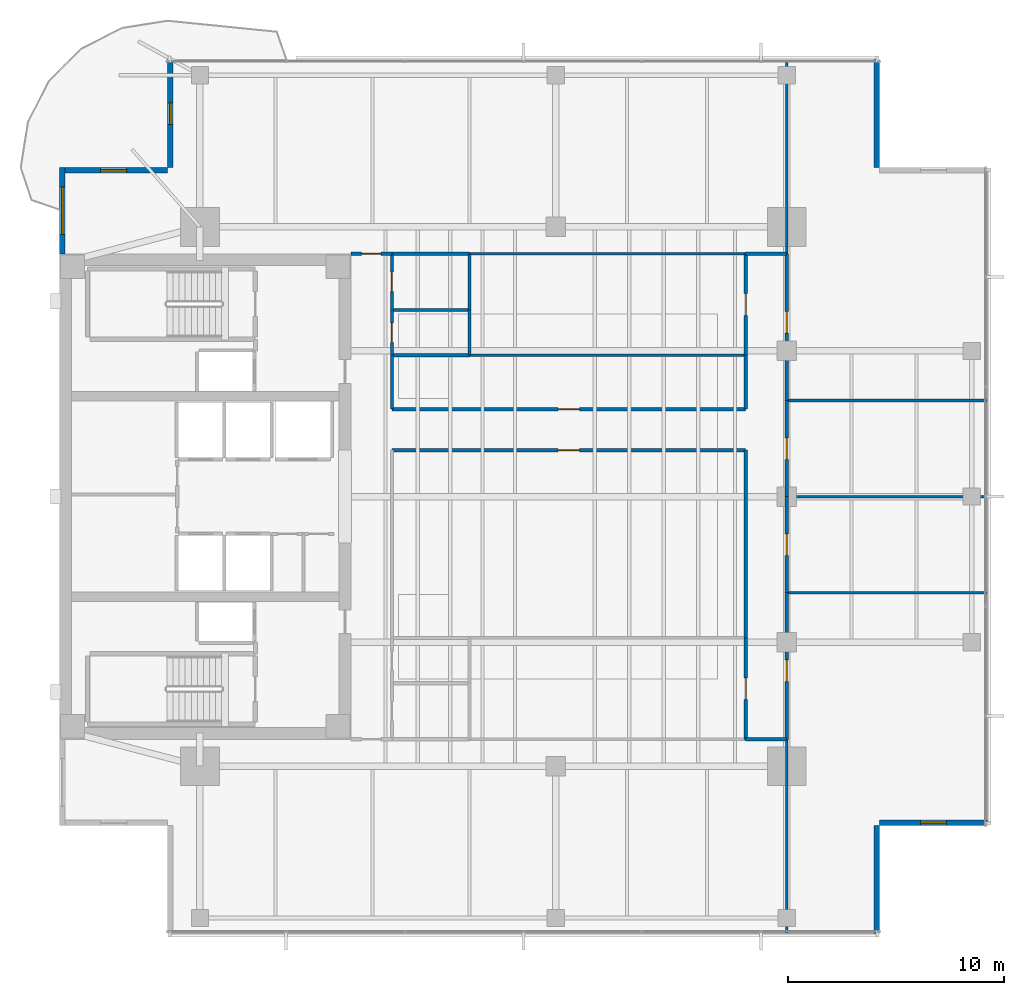
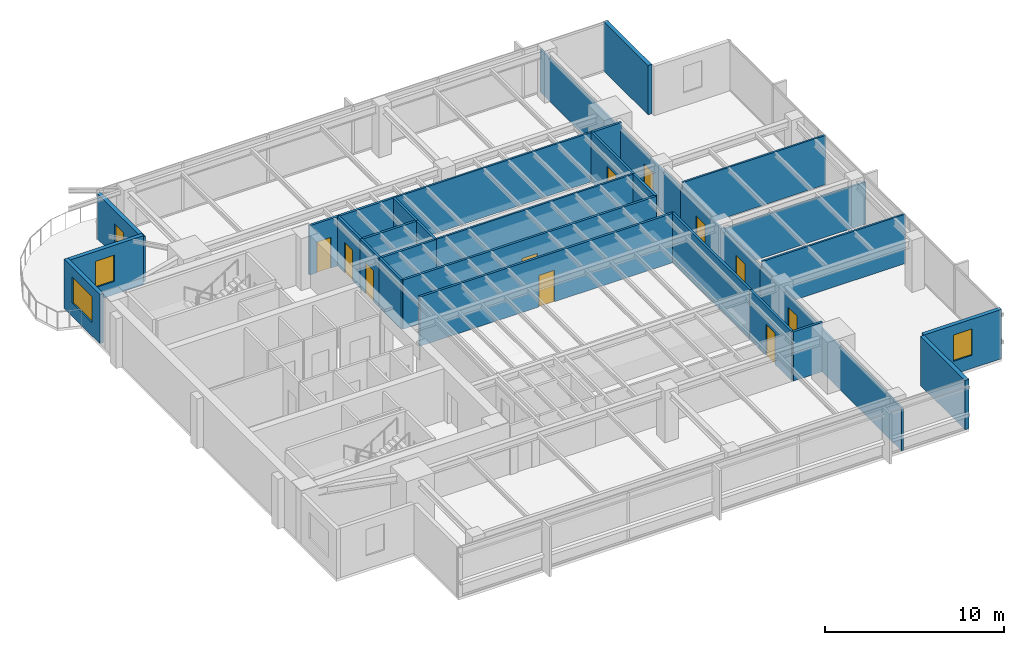
# One storey, part 9 of 14: 34 walls, 12 doors, 3 windows, 15 openings.
"""IFC4 building model written with IfcOpenShell, lengths in metres."""

from ifc_helpers import new_model, si_unit, direction, frame, frame_2d, origin, place, context, subcontext, project, spatial, rectangle, extrude, material, layer, layer_set, type_object, element, fill, save


model = new_model("IFC4")

# Units and contexts
model_context = context("Model", 3, precision=1e-05, world=origin(), true_north=direction((0.0, 1.0)))
body_context = subcontext(model_context, "Body", "Model", "MODEL_VIEW")
ifc_project = project(units=[si_unit("LENGTHUNIT", "METRE"), si_unit("AREAUNIT", "SQUARE_METRE"), si_unit("VOLUMEUNIT", "CUBIC_METRE"), si_unit("PLANEANGLEUNIT", "RADIAN"), si_unit("MASSUNIT", "GRAM", prefix="KILO")], contexts=[model_context])

# Site, building, storey
site_placement = place(None, origin())
site = spatial("IfcSite", under=ifc_project, at=site_placement, CompositionType="ELEMENT")
building_placement = place(site_placement, origin())
building = spatial("IfcBuilding", under=site, at=building_placement, Name="Kinhvarn Gate Tower", CompositionType="ELEMENT")
storey_placement = place(building_placement, frame((0.0, 0.0, 205.800048828125)))
storey = spatial("IfcBuildingStorey", under=building, at=storey_placement, Name="L54", CompositionType="ELEMENT", Elevation=205.800048828125)

# Wall, opening, window
ifc_material_1 = material(Name="Fired architectural terracotta", Category="masonry")
ifc_layer_1 = layer(ifc_material_1, 0.25)
ifc_layer_set_1 = layer_set([ifc_layer_1], Name="Fired architectural terracotta")
wall_type_1 = type_object("IfcWallType", Name="WL-EXT-250", PredefinedType="SOLIDWALL", material=ifc_layer_set_1)
wall_1_placement = place(storey_placement, frame((4.625, 40.5, 0.0), z_axis=(0.0, 0.0, 1.0), x_axis=(0.0, -1.0, 0.0)))
wall_1 = element("IfcWall", 1, at=wall_1_placement, inside=storey, type_object=wall_type_1, Name="Exterior Solidwall Wall EW-250 (L54 West-North)", PredefinedType="SOLIDWALL", context=body_context, shape_type="SweptSolid", body=[
    extrude(rectangle(XDim=4.0, YDim=0.25, at=frame_2d((2.0, 0.0))), origin(), (0.0, 0.0, 1.0), 3.369873046875),
])
opening_1_placement = place(wall_1_placement, frame((0.89990234375, 0.0, 0.89990234375)))
opening_1 = element("IfcOpeningElement", 2, at=opening_1_placement, cuts=wall_1, Name="Opening WN-01", PredefinedType="OPENING", context=body_context, shape_type="SweptSolid", body=[
    extrude(rectangle(XDim=2.199951171875, YDim=1.800048828125, at=frame_2d((1.10009765625, 0.89990234375))), frame((0.0, 0.135009765625, 0.0), z_axis=(0.0, -1.0, 0.0), x_axis=(1.0, 0.0, 0.0)), (0.0, 0.0, 1.0), 0.27001953125),
])
ifc_material_2 = material(Name="Clear low-e double glazing", Category="glass")
window_type_1 = type_object("IfcWindowType", Name="WIN-RIB-2200", PartitioningType="SINGLE_PANEL", PredefinedType="WINDOW", material=ifc_material_2)
window_1_placement = place(opening_1_placement, origin())
window_1 = element("IfcWindow", 3, at=window_1_placement, inside=storey, type_object=window_type_1, Name="West Flank Double-Glazed Ribbon Window 2200x1800 mm (L54)", OverallHeight=1.800048828125, OverallWidth=2.199951171875, PartitioningType="SINGLE_PANEL", PredefinedType="WINDOW", context=body_context, shape_type="SweptSolid", body=[
    extrude(rectangle(XDim=2.199951171875, YDim=1.800048828125, at=frame_2d((1.10009765625, 0.89990234375))), frame((0.0, 0.030029296875, 0.0), z_axis=(0.0, -1.0, 0.0), x_axis=(1.0, 0.0, 0.0)), (0.0, 0.0, 1.0), 0.06005859375),
])
fill(opening_1, window_1)

# Wall
wall_2_placement = place(storey_placement, frame((42.375, 5.0, 0.0), z_axis=(0.0, 0.0, 1.0), x_axis=(0.0, 1.0, 0.0)))
element("IfcWall", 4, at=wall_2_placement, inside=storey, type_object=wall_type_1, Name="Exterior Solidwall Wall EW-250 (L54 SE-Notch-1)", PredefinedType="SOLIDWALL", context=body_context, shape_type="SweptSolid", body=[
    extrude(rectangle(XDim=5.0, YDim=0.25, at=frame_2d((2.5, 0.0))), origin(), (0.0, 0.0, 1.0), 3.369873046875),
])

# Wall, opening, window
wall_3_placement = place(storey_placement, frame((42.5, 10.125, 0.0), z_axis=(0.0, 0.0, 1.0), x_axis=(1.0, 0.0, 0.0)))
wall_3 = element("IfcWall", 5, at=wall_3_placement, inside=storey, type_object=wall_type_1, Name="Exterior Solidwall Wall EW-250 (L54 SE-Notch-2)", PredefinedType="SOLIDWALL", context=body_context, shape_type="SweptSolid", body=[
    extrude(rectangle(XDim=5.0, YDim=0.25, at=frame_2d((2.5, 0.0))), origin(), (0.0, 0.0, 1.0), 3.369873046875),
])
opening_2_placement = place(wall_3_placement, frame((1.89990234375, 0.0, 0.89990234375)))
opening_2 = element("IfcOpeningElement", 6, at=opening_2_placement, cuts=wall_3, Name="Opening WN-02", PredefinedType="OPENING", context=body_context, shape_type="SweptSolid", body=[
    extrude(rectangle(XDim=1.199951171875, YDim=1.800048828125, at=frame_2d((0.60009765625, 0.89990234375))), frame((0.0, 0.135009765625, 0.0), z_axis=(0.0, -1.0, 0.0), x_axis=(1.0, 0.0, 0.0)), (0.0, 0.0, 1.0), 0.27001953125),
])
window_type_2 = type_object("IfcWindowType", Name="WIN-NTC-1200", PartitioningType="SINGLE_PANEL", PredefinedType="WINDOW", material=ifc_material_2)
window_2_placement = place(opening_2_placement, origin())
window_2 = element("IfcWindow", 7, at=window_2_placement, inside=storey, type_object=window_type_2, Name="Recessed Corner Notch Punched Window 1200x1800 mm (L54)", OverallHeight=1.800048828125, OverallWidth=1.199951171875, PartitioningType="SINGLE_PANEL", PredefinedType="WINDOW", context=body_context, shape_type="SweptSolid", body=[
    extrude(rectangle(XDim=1.199951171875, YDim=1.800048828125, at=frame_2d((0.60009765625, 0.89990234375))), frame((0.0, 0.030029296875, 0.0), z_axis=(0.0, -1.0, 0.0), x_axis=(1.0, 0.0, 0.0)), (0.0, 0.0, 1.0), 0.06005859375),
])
fill(opening_2, window_2)

# Wall
wall_4_placement = place(storey_placement, frame((42.375, 40.5, 0.0), z_axis=(0.0, 0.0, 1.0), x_axis=(0.0, 1.0, 0.0)))
element("IfcWall", 8, at=wall_4_placement, inside=storey, type_object=wall_type_1, Name="Exterior Solidwall Wall EW-250 (L54 NE-Notch-2)", PredefinedType="SOLIDWALL", context=body_context, shape_type="SweptSolid", body=[
    extrude(rectangle(XDim=5.0, YDim=0.25, at=frame_2d((2.5, 0.0))), origin(), (0.0, 0.0, 1.0), 3.369873046875),
])

# Wall, opening, door
wall_5_placement = place(storey_placement, frame((9.625, 45.5, 0.0), z_axis=(0.0, 0.0, 1.0), x_axis=(0.0, -1.0, 0.0)))
wall_5 = element("IfcWall", 9, at=wall_5_placement, inside=storey, type_object=wall_type_1, Name="Exterior Solidwall Wall EW-250 (L54 NW-Notch-Door)", PredefinedType="SOLIDWALL", context=body_context, shape_type="SweptSolid", body=[
    extrude(rectangle(XDim=5.0, YDim=0.25, at=frame_2d((2.5, 0.0))), origin(), (0.0, 0.0, 1.0), 3.099853515625),
])
opening_3_placement = place(wall_5_placement, frame((2.0, 0.0, 0.0)))
opening_3 = element("IfcOpeningElement", 10, at=opening_3_placement, cuts=wall_5, Name="Opening BD-01", PredefinedType="OPENING", context=body_context, shape_type="SweptSolid", body=[
    extrude(rectangle(XDim=1.0, YDim=2.199951171875, at=frame_2d((0.5, 1.10009765625))), frame((0.0, 0.135009765625, 0.0), z_axis=(0.0, -1.0, 0.0), x_axis=(1.0, 0.0, 0.0)), (0.0, 0.0, 1.0), 0.27001953125),
])
door_type_1 = type_object("IfcDoorType", Name="DR-BAL-1000", OperationType="NOTDEFINED", PredefinedType="DOOR", material=ifc_material_2)
door_1_placement = place(opening_3_placement, frame((1.0, 0.0, 0.0), z_axis=(0.0, 0.0, 1.0), x_axis=(-1.0, 0.0, 0.0)))
door_1 = element("IfcDoor", 11, at=door_1_placement, inside=storey, type_object=door_type_1, Name="S-Carve Balcony Door BD-01 (L54)", OperationType="SINGLE_SWING_RIGHT", OverallHeight=2.199951171875, OverallWidth=1.0, PredefinedType="DOOR", context=body_context, shape_type="SweptSolid", body=[
    extrude(rectangle(XDim=1.0, YDim=2.199951171875, at=frame_2d((0.5, 1.10009765625))), frame((0.0, 0.02490234375, 0.0), z_axis=(0.0, -1.0, 0.0), x_axis=(1.0, 0.0, 0.0)), (0.0, 0.0, 1.0), 0.050048828125),
])
fill(opening_3, door_1)

# Wall, opening, window
wall_6_placement = place(storey_placement, frame((9.5, 40.375, 0.0), z_axis=(0.0, 0.0, 1.0), x_axis=(-1.0, 0.0, 0.0)))
wall_6 = element("IfcWall", 12, at=wall_6_placement, inside=storey, type_object=wall_type_1, Name="Exterior Solidwall Wall EW-250 (L54 NW-Notch-Win)", PredefinedType="SOLIDWALL", context=body_context, shape_type="SweptSolid", body=[
    extrude(rectangle(XDim=5.0, YDim=0.25, at=frame_2d((2.5, 0.0))), origin(), (0.0, 0.0, 1.0), 3.369873046875),
])
opening_4_placement = place(wall_6_placement, frame((1.89990234375, 0.0, 0.89990234375)))
opening_4 = element("IfcOpeningElement", 13, at=opening_4_placement, cuts=wall_6, Name="Opening WN-02", PredefinedType="OPENING", context=body_context, shape_type="SweptSolid", body=[
    extrude(rectangle(XDim=1.199951171875, YDim=1.800048828125, at=frame_2d((0.60009765625, 0.89990234375))), frame((0.0, 0.135009765625, 0.0), z_axis=(0.0, -1.0, 0.0), x_axis=(1.0, 0.0, 0.0)), (0.0, 0.0, 1.0), 0.27001953125),
])
window_3_placement = place(opening_4_placement, origin())
window_3 = element("IfcWindow", 14, at=window_3_placement, inside=storey, type_object=window_type_2, Name="Recessed Corner Notch Punched Window 1200x1800 mm (L54)", OverallHeight=1.800048828125, OverallWidth=1.199951171875, PartitioningType="SINGLE_PANEL", PredefinedType="WINDOW", context=body_context, shape_type="SweptSolid", body=[
    extrude(rectangle(XDim=1.199951171875, YDim=1.800048828125, at=frame_2d((0.60009765625, 0.89990234375))), frame((0.0, 0.030029296875, 0.0), z_axis=(0.0, -1.0, 0.0), x_axis=(1.0, 0.0, 0.0)), (0.0, 0.0, 1.0), 0.06005859375),
])
fill(opening_4, window_3)

# Walls
ifc_material_3 = material(Name="Gypsum acoustic partition board")
ifc_layer_2 = layer(ifc_material_3, 0.14990234375)
ifc_layer_set_2 = layer_set([ifc_layer_2], Name="Gypsum acoustic partition board")
wall_type_2 = type_object("IfcWallType", Name="WL-PLM-150", PredefinedType="PLUMBINGWALL", material=ifc_layer_set_2)
wall_7_placement = place(storey_placement, frame((19.89990234375, 33.89990234375, 0.0), z_axis=(0.0, 0.0, 1.0), x_axis=(1.0, 0.0, 0.0)))
element("IfcWall", 15, at=wall_7_placement, inside=storey, type_object=wall_type_2, Name="Interior Partition PLW-150 (L54)", PredefinedType="PLUMBINGWALL", context=body_context, shape_type="SweptSolid", body=[
    extrude(rectangle(XDim=3.60009765625, YDim=0.14990234375, at=frame_2d((1.800048828125, 0.0))), origin(), (0.0, 0.0, 1.0), 3.369873046875),
])
wall_8_placement = place(storey_placement, frame((23.5, 33.89990234375, 0.0), z_axis=(0.0, 0.0, 1.0), x_axis=(0.0, 1.0, 0.0)))
element("IfcWall", 16, at=wall_8_placement, inside=storey, type_object=wall_type_2, Name="Interior Partition PLW-150 (L54)", PredefinedType="PLUMBINGWALL", context=body_context, shape_type="SweptSolid", body=[
    extrude(rectangle(XDim=2.60009765625, YDim=0.14990234375, at=frame_2d((1.300048828125, 0.0))), origin(), (0.0, 0.0, 1.0), 3.369873046875),
])
wall_9_placement = place(storey_placement, frame((19.89990234375, 36.5, 0.0), z_axis=(0.0, 0.0, 1.0), x_axis=(1.0, 0.0, 0.0)))
element("IfcWall", 17, at=wall_9_placement, inside=storey, type_object=wall_type_2, Name="Interior Partition PLW-150 (L54)", PredefinedType="PLUMBINGWALL", context=body_context, shape_type="SweptSolid", body=[
    extrude(rectangle(XDim=3.60009765625, YDim=0.14990234375, at=frame_2d((1.800048828125, 0.0))), origin(), (0.0, 0.0, 1.0), 3.369873046875),
])
wall_10_placement = place(storey_placement, frame((23.5, 31.800048828125, 0.0), z_axis=(0.0, 0.0, 1.0), x_axis=(0.0, 1.0, 0.0)))
element("IfcWall", 18, at=wall_10_placement, inside=storey, type_object=wall_type_2, Name="Interior Partition PLW-150 (L54)", PredefinedType="PLUMBINGWALL", context=body_context, shape_type="SweptSolid", body=[
    extrude(rectangle(XDim=2.099853515625, YDim=0.14990234375, at=frame_2d((1.0498046875, 0.0))), origin(), (0.0, 0.0, 1.0), 3.369873046875),
])
wall_11_placement = place(storey_placement, frame((19.89990234375, 31.800048828125, 0.0), z_axis=(0.0, 0.0, 1.0), x_axis=(1.0, 0.0, 0.0)))
element("IfcWall", 19, at=wall_11_placement, inside=storey, type_object=wall_type_2, Name="Interior Partition PLW-150 (L54)", PredefinedType="PLUMBINGWALL", context=body_context, shape_type="SweptSolid", body=[
    extrude(rectangle(XDim=3.60009765625, YDim=0.14990234375, at=frame_2d((1.800048828125, 0.0))), origin(), (0.0, 0.0, 1.0), 3.369873046875),
])

# Wall, opening, door
ifc_layer_3 = layer(ifc_material_3, 0.14990234375)
ifc_layer_set_3 = layer_set([ifc_layer_3], Name="Gypsum acoustic partition board")
wall_type_3 = type_object("IfcWallType", Name="WL-PLM-150F", PredefinedType="PLUMBINGWALL", material=ifc_layer_set_3)
wall_12_placement = place(storey_placement, frame((19.89990234375, 33.89990234375, 0.0), z_axis=(0.0, 0.0, 1.0), x_axis=(0.0, 1.0, 0.0)))
wall_12 = element("IfcWall", 20, at=wall_12_placement, inside=storey, type_object=wall_type_3, Name="Interior Partition PLW-150F (L54)", PredefinedType="PLUMBINGWALL", context=body_context, shape_type="SweptSolid", body=[
    extrude(rectangle(XDim=2.60009765625, YDim=0.14990234375, at=frame_2d((1.300048828125, 0.0))), origin(), (0.0, 0.0, 1.0), 3.369873046875),
])
opening_5_placement = place(wall_12_placement, frame((0.85009765625, 0.0, 0.0)))
opening_5 = element("IfcOpeningElement", 21, at=opening_5_placement, cuts=wall_12, Name="Opening FD-04", PredefinedType="OPENING", context=body_context, shape_type="SweptSolid", body=[
    extrude(rectangle(XDim=0.89990234375, YDim=2.10009765625, at=frame_2d((0.449951171875, 1.050048828125))), frame((0.0, 0.0849609375, 0.0), z_axis=(0.0, -1.0, 0.0), x_axis=(1.0, 0.0, 0.0)), (0.0, 0.0, 1.0), 0.169921875),
])
ifc_material_4 = material(Name="Anodised aluminium AW-6063", Category="aluminium")
door_type_2 = type_object("IfcDoorType", Name="DR-FD-900", OperationType="NOTDEFINED", PredefinedType="DOOR", material=ifc_material_4)
door_2_placement = place(opening_5_placement, origin())
door_2 = element("IfcDoor", 22, at=door_2_placement, inside=storey, type_object=door_type_2, Name="Rated Riser & Service Closet Fire Door 900x2100 mm (L54)", OperationType="SINGLE_SWING_RIGHT", OverallHeight=2.10009765625, OverallWidth=0.89990234375, PredefinedType="DOOR", context=body_context, shape_type="SweptSolid", body=[
    extrude(rectangle(XDim=0.89990234375, YDim=2.10009765625, at=frame_2d((0.449951171875, 1.050048828125))), frame((0.0, 0.02490234375, 0.0), z_axis=(0.0, -1.0, 0.0), x_axis=(1.0, 0.0, 0.0)), (0.0, 0.0, 1.0), 0.050048828125),
])
fill(opening_5, door_2)

wall_13_placement = place(storey_placement, frame((19.89990234375, 31.800048828125, 0.0), z_axis=(0.0, 0.0, 1.0), x_axis=(0.0, 1.0, 0.0)))
wall_13 = element("IfcWall", 23, at=wall_13_placement, inside=storey, type_object=wall_type_3, Name="Interior Partition PLW-150F (L54)", PredefinedType="PLUMBINGWALL", context=body_context, shape_type="SweptSolid", body=[
    extrude(rectangle(XDim=2.099853515625, YDim=0.14990234375, at=frame_2d((1.0498046875, 0.0))), origin(), (0.0, 0.0, 1.0), 3.369873046875),
])
opening_6_placement = place(wall_13_placement, frame((0.60009765625, 0.0, 0.0)))
opening_6 = element("IfcOpeningElement", 24, at=opening_6_placement, cuts=wall_13, Name="Opening FD-04", PredefinedType="OPENING", context=body_context, shape_type="SweptSolid", body=[
    extrude(rectangle(XDim=0.89990234375, YDim=2.10009765625, at=frame_2d((0.449951171875, 1.050048828125))), frame((0.0, 0.0849609375, 0.0), z_axis=(0.0, -1.0, 0.0), x_axis=(1.0, 0.0, 0.0)), (0.0, 0.0, 1.0), 0.169921875),
])
door_3_placement = place(opening_6_placement, origin())
door_3 = element("IfcDoor", 25, at=door_3_placement, inside=storey, type_object=door_type_2, Name="Rated Riser & Service Closet Fire Door 900x2100 mm (L54)", OperationType="SINGLE_SWING_RIGHT", OverallHeight=2.10009765625, OverallWidth=0.89990234375, PredefinedType="DOOR", context=body_context, shape_type="SweptSolid", body=[
    extrude(rectangle(XDim=0.89990234375, YDim=2.10009765625, at=frame_2d((0.449951171875, 1.050048828125))), frame((0.0, 0.02490234375, 0.0), z_axis=(0.0, -1.0, 0.0), x_axis=(1.0, 0.0, 0.0)), (0.0, 0.0, 1.0), 0.050048828125),
])
fill(opening_6, door_3)

# Walls
ifc_layer_4 = layer(ifc_material_3, 0.1201171875)
ifc_layer_set_4 = layer_set([ifc_layer_4], Name="Gypsum acoustic partition board")
wall_type_4 = type_object("IfcWallType", Name="WL-PRT-120", PredefinedType="PARTITIONING", material=ifc_layer_set_4)
for number, where, z_axis, x_axis, name in (
    (26, (23.5, 31.800048828125, 0.0), (0.0, 0.0, 1.0), (1.0, 0.0, 0.0), "Interior Partition PW-120 (L54)"),
    (27, (23.5, 36.5, 0.0), (0.0, 0.0, 1.0), (1.0, 0.0, 0.0), "Interior Partition PW-120 (L54)"),
):
    element("IfcWall", number, at=place(storey_placement, frame(where, z_axis=z_axis, x_axis=x_axis)), inside=storey, type_object=wall_type_4, Name=name, PredefinedType="PARTITIONING", context=body_context, shape_type="SweptSolid", body=[
        extrude(rectangle(XDim=12.800048828125, YDim=0.1201171875, at=frame_2d((6.39990234375, 0.0))), origin(), (0.0, 0.0, 1.0), 3.369873046875),
    ])
for number, where, z_axis, x_axis, name in (
    (28, (38.199951171875, 5.010009765625, 0.0), (0.0, 0.0, 1.0), (0.0, 1.0, 0.0), "Interior Partition PW-120 (L54)"),
    (29, (38.199951171875, 36.5, 0.0), (0.0, 0.0, 1.0), (0.0, 1.0, 0.0), "Interior Partition PW-120 (L54)"),
):
    element("IfcWall", number, at=place(storey_placement, frame(where, z_axis=z_axis, x_axis=x_axis)), inside=storey, type_object=wall_type_4, Name=name, PredefinedType="PARTITIONING", context=body_context, shape_type="SweptSolid", body=[
        extrude(rectangle(XDim=8.989990234375, YDim=0.1201171875, at=frame_2d((4.4951171875, 0.0))), origin(), (0.0, 0.0, 1.0), 2.919921875),
    ])
wall_14_placement = place(storey_placement, frame((38.199951171875, 20.800048828125, 0.0), z_axis=(0.0, 0.0, 1.0), x_axis=(1.0, 0.0, 0.0)))
element("IfcWall", 30, at=wall_14_placement, inside=storey, type_object=wall_type_4, Name="Interior Partition PW-120 (L54)", PredefinedType="PARTITIONING", context=body_context, shape_type="SweptSolid", body=[
    extrude(rectangle(XDim=9.2900390625, YDim=0.1201171875, at=frame_2d((4.64501953125, 0.0))), origin(), (0.0, 0.0, 1.0), 3.369873046875),
])
wall_15_placement = place(storey_placement, frame((38.199951171875, 25.25, 0.0), z_axis=(0.0, 0.0, 1.0), x_axis=(1.0, 0.0, 0.0)))
element("IfcWall", 31, at=wall_15_placement, inside=storey, type_object=wall_type_4, Name="Interior Partition PW-120 (L54)", PredefinedType="PARTITIONING", context=body_context, shape_type="SweptSolid", body=[
    extrude(rectangle(XDim=9.2900390625, YDim=0.1201171875, at=frame_2d((4.64501953125, 0.0))), origin(), (0.0, 0.0, 1.0), 2.869873046875),
])
wall_16_placement = place(storey_placement, frame((38.199951171875, 29.699951171875, 0.0), z_axis=(0.0, 0.0, 1.0), x_axis=(1.0, 0.0, 0.0)))
element("IfcWall", 32, at=wall_16_placement, inside=storey, type_object=wall_type_4, Name="Interior Partition PW-120 (L54)", PredefinedType="PARTITIONING", context=body_context, shape_type="SweptSolid", body=[
    extrude(rectangle(XDim=9.2900390625, YDim=0.1201171875, at=frame_2d((4.64501953125, 0.0))), origin(), (0.0, 0.0, 1.0), 3.369873046875),
])
ifc_layer_5 = layer(ifc_material_3, 0.14990234375)
ifc_layer_set_5 = layer_set([ifc_layer_5], Name="Gypsum acoustic partition board")
wall_type_5 = type_object("IfcWallType", Name="WL-PRT-150F", PredefinedType="PARTITIONING", material=ifc_layer_set_5)
wall_17_placement = place(storey_placement, frame((19.89990234375, 29.300048828125, 0.0), z_axis=(0.0, 0.0, 1.0), x_axis=(0.0, 1.0, 0.0)))
element("IfcWall", 33, at=wall_17_placement, inside=storey, type_object=wall_type_5, Name="Interior Partition PW-150F (L54)", PredefinedType="PARTITIONING", context=body_context, shape_type="SweptSolid", body=[
    extrude(rectangle(XDim=2.5, YDim=0.14990234375, at=frame_2d((1.25, 0.0))), origin(), (0.0, 0.0, 1.0), 3.369873046875),
])

# Wall, opening, door
wall_18_placement = place(storey_placement, frame((18.0, 36.5, 0.0), z_axis=(0.0, 0.0, 1.0), x_axis=(1.0, 0.0, 0.0)))
wall_18 = element("IfcWall", 34, at=wall_18_placement, inside=storey, type_object=wall_type_5, Name="Interior Partition PW-150F (L54)", PredefinedType="PARTITIONING", context=body_context, shape_type="SweptSolid", body=[
    extrude(rectangle(XDim=1.89990234375, YDim=0.14990234375, at=frame_2d((0.949951171875, 0.0))), origin(), (0.0, 0.0, 1.0), 3.369873046875),
])
opening_7_placement = place(wall_18_placement, frame((0.5, 0.0, 0.0)))
opening_7 = element("IfcOpeningElement", 35, at=opening_7_placement, cuts=wall_18, Name="Opening ID-03", PredefinedType="OPENING", context=body_context, shape_type="SweptSolid", body=[
    extrude(rectangle(XDim=0.89990234375, YDim=2.10009765625, at=frame_2d((0.449951171875, 1.050048828125))), frame((0.0, 0.0849609375, 0.0), z_axis=(0.0, -1.0, 0.0), x_axis=(1.0, 0.0, 0.0)), (0.0, 0.0, 1.0), 0.169921875),
])
door_type_3 = type_object("IfcDoorType", Name="DR-INT-900", OperationType="NOTDEFINED", PredefinedType="DOOR", material=ifc_material_4)
door_4_placement = place(opening_7_placement, origin())
door_4 = element("IfcDoor", 36, at=door_4_placement, inside=storey, type_object=door_type_3, Name="Cellular Office & Restroom Door 900x2100 mm (L54)", OperationType="SINGLE_SWING_RIGHT", OverallHeight=2.10009765625, OverallWidth=0.89990234375, PredefinedType="DOOR", context=body_context, shape_type="SweptSolid", body=[
    extrude(rectangle(XDim=0.89990234375, YDim=2.10009765625, at=frame_2d((0.449951171875, 1.050048828125))), frame((0.0, 0.02490234375, 0.0), z_axis=(0.0, -1.0, 0.0), x_axis=(1.0, 0.0, 0.0)), (0.0, 0.0, 1.0), 0.050048828125),
])
fill(opening_7, door_4)

wall_19_placement = place(storey_placement, frame((19.89990234375, 27.39990234375, 0.0), z_axis=(0.0, 0.0, 1.0), x_axis=(1.0, 0.0, 0.0)))
wall_19 = element("IfcWall", 37, at=wall_19_placement, inside=storey, type_object=wall_type_5, Name="Interior Partition PW-150F (L54)", PredefinedType="PARTITIONING", context=body_context, shape_type="SweptSolid", body=[
    extrude(rectangle(XDim=16.400146484375, YDim=0.14990234375, at=frame_2d((8.2001953125, 0.0))), origin(), (0.0, 0.0, 1.0), 3.369873046875),
])
opening_8_placement = place(wall_19_placement, frame((7.699951171875, 0.0, 0.0)))
opening_8 = element("IfcOpeningElement", 38, at=opening_8_placement, cuts=wall_19, Name="Opening ID-02", PredefinedType="OPENING", context=body_context, shape_type="SweptSolid", body=[
    extrude(rectangle(XDim=1.0, YDim=2.14990234375, at=frame_2d((0.5, 1.074951171875))), frame((0.0, 0.0849609375, 0.0), z_axis=(0.0, -1.0, 0.0), x_axis=(1.0, 0.0, 0.0)), (0.0, 0.0, 1.0), 0.169921875),
])
door_type_4 = type_object("IfcDoorType", Name="DR-INT-1000", OperationType="NOTDEFINED", PredefinedType="DOOR", material=ifc_material_4)
door_5_placement = place(opening_8_placement, origin())
door_5 = element("IfcDoor", 39, at=door_5_placement, inside=storey, type_object=door_type_4, Name="Standard Office & Meeting Room Door 1000x2150 mm (L54)", OperationType="SINGLE_SWING_LEFT", OverallHeight=2.14990234375, OverallWidth=1.0, PredefinedType="DOOR", context=body_context, shape_type="SweptSolid", body=[
    extrude(rectangle(XDim=1.0, YDim=2.14990234375, at=frame_2d((0.5, 1.074951171875))), frame((0.0, 0.02490234375, 0.0), z_axis=(0.0, -1.0, 0.0), x_axis=(1.0, 0.0, 0.0)), (0.0, 0.0, 1.0), 0.050048828125),
])
fill(opening_8, door_5)

wall_20_placement = place(storey_placement, frame((19.89990234375, 29.300048828125, 0.0), z_axis=(0.0, 0.0, 1.0), x_axis=(1.0, 0.0, 0.0)))
wall_20 = element("IfcWall", 40, at=wall_20_placement, inside=storey, type_object=wall_type_5, Name="Interior Partition PW-150F (L54)", PredefinedType="PARTITIONING", context=body_context, shape_type="SweptSolid", body=[
    extrude(rectangle(XDim=16.400146484375, YDim=0.14990234375, at=frame_2d((8.2001953125, 0.0))), origin(), (0.0, 0.0, 1.0), 3.369873046875),
])
opening_9_placement = place(wall_20_placement, frame((7.699951171875, 0.0, 0.0)))
opening_9 = element("IfcOpeningElement", 41, at=opening_9_placement, cuts=wall_20, Name="Opening ID-02", PredefinedType="OPENING", context=body_context, shape_type="SweptSolid", body=[
    extrude(rectangle(XDim=1.0, YDim=2.14990234375, at=frame_2d((0.5, 1.074951171875))), frame((0.0, 0.0849609375, 0.0), z_axis=(0.0, -1.0, 0.0), x_axis=(1.0, 0.0, 0.0)), (0.0, 0.0, 1.0), 0.169921875),
])
door_6_placement = place(opening_9_placement, origin())
door_6 = element("IfcDoor", 42, at=door_6_placement, inside=storey, type_object=door_type_4, Name="Standard Office & Meeting Room Door 1000x2150 mm (L54)", OperationType="SINGLE_SWING_RIGHT", OverallHeight=2.14990234375, OverallWidth=1.0, PredefinedType="DOOR", context=body_context, shape_type="SweptSolid", body=[
    extrude(rectangle(XDim=1.0, YDim=2.14990234375, at=frame_2d((0.5, 1.074951171875))), frame((0.0, 0.02490234375, 0.0), z_axis=(0.0, -1.0, 0.0), x_axis=(1.0, 0.0, 0.0)), (0.0, 0.0, 1.0), 0.050048828125),
])
fill(opening_9, door_6)

wall_21_placement = place(storey_placement, frame((36.300048828125, 14.0, 0.0), z_axis=(0.0, 0.0, 1.0), x_axis=(0.0, 1.0, 0.0)))
wall_21 = element("IfcWall", 43, at=wall_21_placement, inside=storey, type_object=wall_type_5, Name="Interior Partition PW-150F (L54)", PredefinedType="PARTITIONING", context=body_context, shape_type="SweptSolid", body=[
    extrude(rectangle(XDim=4.699951171875, YDim=0.14990234375, at=frame_2d((2.35009765625, 0.0))), origin(), (0.0, 0.0, 1.0), 3.369873046875),
])
opening_10_placement = place(wall_21_placement, frame((1.85009765625, 0.0, 0.0)))
opening_10 = element("IfcOpeningElement", 44, at=opening_10_placement, cuts=wall_21, Name="Opening ID-02", PredefinedType="OPENING", context=body_context, shape_type="SweptSolid", body=[
    extrude(rectangle(XDim=1.0, YDim=2.14990234375, at=frame_2d((0.5, 1.074951171875))), frame((0.0, 0.0849609375, 0.0), z_axis=(0.0, -1.0, 0.0), x_axis=(1.0, 0.0, 0.0)), (0.0, 0.0, 1.0), 0.169921875),
])
door_7_placement = place(opening_10_placement, origin())
door_7 = element("IfcDoor", 45, at=door_7_placement, inside=storey, type_object=door_type_4, Name="Standard Office & Meeting Room Door 1000x2150 mm (L54)", OperationType="SINGLE_SWING_LEFT", OverallHeight=2.14990234375, OverallWidth=1.0, PredefinedType="DOOR", context=body_context, shape_type="SweptSolid", body=[
    extrude(rectangle(XDim=1.0, YDim=2.14990234375, at=frame_2d((0.5, 1.074951171875))), frame((0.0, 0.02490234375, 0.0), z_axis=(0.0, -1.0, 0.0), x_axis=(1.0, 0.0, 0.0)), (0.0, 0.0, 1.0), 0.050048828125),
])
fill(opening_10, door_7)

wall_22_placement = place(storey_placement, frame((36.300048828125, 31.800048828125, 0.0), z_axis=(0.0, 0.0, 1.0), x_axis=(0.0, 1.0, 0.0)))
wall_22 = element("IfcWall", 46, at=wall_22_placement, inside=storey, type_object=wall_type_5, Name="Interior Partition PW-150F (L54)", PredefinedType="PARTITIONING", context=body_context, shape_type="SweptSolid", body=[
    extrude(rectangle(XDim=4.699951171875, YDim=0.14990234375, at=frame_2d((2.35009765625, 0.0))), origin(), (0.0, 0.0, 1.0), 3.369873046875),
])
opening_11_placement = place(wall_22_placement, frame((1.85009765625, 0.0, 0.0)))
opening_11 = element("IfcOpeningElement", 47, at=opening_11_placement, cuts=wall_22, Name="Opening ID-02", PredefinedType="OPENING", context=body_context, shape_type="SweptSolid", body=[
    extrude(rectangle(XDim=1.0, YDim=2.14990234375, at=frame_2d((0.5, 1.074951171875))), frame((0.0, 0.0849609375, 0.0), z_axis=(0.0, -1.0, 0.0), x_axis=(1.0, 0.0, 0.0)), (0.0, 0.0, 1.0), 0.169921875),
])
door_8_placement = place(opening_11_placement, origin())
door_8 = element("IfcDoor", 48, at=door_8_placement, inside=storey, type_object=door_type_4, Name="Standard Office & Meeting Room Door 1000x2150 mm (L54)", OperationType="SINGLE_SWING_RIGHT", OverallHeight=2.14990234375, OverallWidth=1.0, PredefinedType="DOOR", context=body_context, shape_type="SweptSolid", body=[
    extrude(rectangle(XDim=1.0, YDim=2.14990234375, at=frame_2d((0.5, 1.074951171875))), frame((0.0, 0.02490234375, 0.0), z_axis=(0.0, -1.0, 0.0), x_axis=(1.0, 0.0, 0.0)), (0.0, 0.0, 1.0), 0.050048828125),
])
fill(opening_11, door_8)

# Walls
wall_23_placement = place(storey_placement, frame((36.300048828125, 18.699951171875, 0.0), z_axis=(0.0, 0.0, 1.0), x_axis=(0.0, 1.0, 0.0)))
element("IfcWall", 49, at=wall_23_placement, inside=storey, type_object=wall_type_5, Name="Interior Partition PW-150F (L54)", PredefinedType="PARTITIONING", context=body_context, shape_type="SweptSolid", body=[
    extrude(rectangle(XDim=8.699951171875, YDim=0.14990234375, at=frame_2d((4.35009765625, 0.0))), origin(), (0.0, 0.0, 1.0), 3.369873046875),
])
wall_24_placement = place(storey_placement, frame((36.300048828125, 29.300048828125, 0.0), z_axis=(0.0, 0.0, 1.0), x_axis=(0.0, 1.0, 0.0)))
element("IfcWall", 50, at=wall_24_placement, inside=storey, type_object=wall_type_5, Name="Interior Partition PW-150F (L54)", PredefinedType="PARTITIONING", context=body_context, shape_type="SweptSolid", body=[
    extrude(rectangle(XDim=2.5, YDim=0.14990234375, at=frame_2d((1.25, 0.0))), origin(), (0.0, 0.0, 1.0), 3.369873046875),
])
for number, where, z_axis, x_axis, name in (
    (51, (36.300048828125, 14.0, 0.0), (0.0, 0.0, 1.0), (1.0, 0.0, 0.0), "Interior Partition PW-150F (L54)"),
    (52, (36.300048828125, 36.5, 0.0), (0.0, 0.0, 1.0), (1.0, 0.0, 0.0), "Interior Partition PW-150F (L54)"),
):
    element("IfcWall", number, at=place(storey_placement, frame(where, z_axis=z_axis, x_axis=x_axis)), inside=storey, type_object=wall_type_5, Name=name, PredefinedType="PARTITIONING", context=body_context, shape_type="SweptSolid", body=[
        extrude(rectangle(XDim=1.89990234375, YDim=0.14990234375, at=frame_2d((0.949951171875, 0.0))), origin(), (0.0, 0.0, 1.0), 3.369873046875),
    ])

# Wall, opening, door
wall_25_placement = place(storey_placement, frame((38.199951171875, 14.0, 0.0), z_axis=(0.0, 0.0, 1.0), x_axis=(0.0, 1.0, 0.0)))
wall_25 = element("IfcWall", 53, at=wall_25_placement, inside=storey, type_object=wall_type_5, Name="Interior Partition PW-150F (L54)", PredefinedType="PARTITIONING", context=body_context, shape_type="SweptSolid", body=[
    extrude(rectangle(XDim=6.800048828125, YDim=0.14990234375, at=frame_2d((3.39990234375, 0.0))), origin(), (0.0, 0.0, 1.0), 2.919921875),
])
opening_12_placement = place(wall_25_placement, frame((2.678955078125, 0.0, 0.0)))
opening_12 = element("IfcOpeningElement", 54, at=opening_12_placement, cuts=wall_25, Name="Opening ID-02", PredefinedType="OPENING", context=body_context, shape_type="SweptSolid", body=[
    extrude(rectangle(XDim=1.0, YDim=2.14990234375, at=frame_2d((0.5, 1.074951171875))), frame((0.0, 0.0849609375, 0.0), z_axis=(0.0, -1.0, 0.0), x_axis=(1.0, 0.0, 0.0)), (0.0, 0.0, 1.0), 0.169921875),
])
door_9_placement = place(opening_12_placement, origin())
door_9 = element("IfcDoor", 55, at=door_9_placement, inside=storey, type_object=door_type_4, Name="Standard Office & Meeting Room Door 1000x2150 mm (L54)", OperationType="SINGLE_SWING_LEFT", OverallHeight=2.14990234375, OverallWidth=1.0, PredefinedType="DOOR", context=body_context, shape_type="SweptSolid", body=[
    extrude(rectangle(XDim=1.0, YDim=2.14990234375, at=frame_2d((0.5, 1.074951171875))), frame((0.0, 0.02490234375, 0.0), z_axis=(0.0, -1.0, 0.0), x_axis=(1.0, 0.0, 0.0)), (0.0, 0.0, 1.0), 0.050048828125),
])
fill(opening_12, door_9)

wall_26_placement = place(storey_placement, frame((38.199951171875, 20.800048828125, 0.0), z_axis=(0.0, 0.0, 1.0), x_axis=(0.0, 1.0, 0.0)))
wall_26 = element("IfcWall", 56, at=wall_26_placement, inside=storey, type_object=wall_type_5, Name="Interior Partition PW-150F (L54)", PredefinedType="PARTITIONING", context=body_context, shape_type="SweptSolid", body=[
    extrude(rectangle(XDim=4.449951171875, YDim=0.14990234375, at=frame_2d((2.22509765625, 0.0))), origin(), (0.0, 0.0, 1.0), 2.919921875),
])
opening_13_placement = place(wall_26_placement, frame((1.72509765625, 0.0, 0.0)))
opening_13 = element("IfcOpeningElement", 57, at=opening_13_placement, cuts=wall_26, Name="Opening ID-02", PredefinedType="OPENING", context=body_context, shape_type="SweptSolid", body=[
    extrude(rectangle(XDim=1.0, YDim=2.14990234375, at=frame_2d((0.5, 1.074951171875))), frame((0.0, 0.0849609375, 0.0), z_axis=(0.0, -1.0, 0.0), x_axis=(1.0, 0.0, 0.0)), (0.0, 0.0, 1.0), 0.169921875),
])
door_10_placement = place(opening_13_placement, origin())
door_10 = element("IfcDoor", 58, at=door_10_placement, inside=storey, type_object=door_type_4, Name="Standard Office & Meeting Room Door 1000x2150 mm (L54)", OperationType="SINGLE_SWING_RIGHT", OverallHeight=2.14990234375, OverallWidth=1.0, PredefinedType="DOOR", context=body_context, shape_type="SweptSolid", body=[
    extrude(rectangle(XDim=1.0, YDim=2.14990234375, at=frame_2d((0.5, 1.074951171875))), frame((0.0, 0.02490234375, 0.0), z_axis=(0.0, -1.0, 0.0), x_axis=(1.0, 0.0, 0.0)), (0.0, 0.0, 1.0), 0.050048828125),
])
fill(opening_13, door_10)

wall_27_placement = place(storey_placement, frame((38.199951171875, 25.25, 0.0), z_axis=(0.0, 0.0, 1.0), x_axis=(0.0, 1.0, 0.0)))
wall_27 = element("IfcWall", 59, at=wall_27_placement, inside=storey, type_object=wall_type_5, Name="Interior Partition PW-150F (L54)", PredefinedType="PARTITIONING", context=body_context, shape_type="SweptSolid", body=[
    extrude(rectangle(XDim=4.449951171875, YDim=0.14990234375, at=frame_2d((2.22509765625, 0.0))), origin(), (0.0, 0.0, 1.0), 2.919921875),
])
opening_14_placement = place(wall_27_placement, frame((1.72509765625, 0.0, 0.0)))
opening_14 = element("IfcOpeningElement", 60, at=opening_14_placement, cuts=wall_27, Name="Opening ID-02", PredefinedType="OPENING", context=body_context, shape_type="SweptSolid", body=[
    extrude(rectangle(XDim=1.0, YDim=2.14990234375, at=frame_2d((0.5, 1.074951171875))), frame((0.0, 0.0849609375, 0.0), z_axis=(0.0, -1.0, 0.0), x_axis=(1.0, 0.0, 0.0)), (0.0, 0.0, 1.0), 0.169921875),
])
door_11_placement = place(opening_14_placement, origin())
door_11 = element("IfcDoor", 61, at=door_11_placement, inside=storey, type_object=door_type_4, Name="Standard Office & Meeting Room Door 1000x2150 mm (L54)", OperationType="SINGLE_SWING_LEFT", OverallHeight=2.14990234375, OverallWidth=1.0, PredefinedType="DOOR", context=body_context, shape_type="SweptSolid", body=[
    extrude(rectangle(XDim=1.0, YDim=2.14990234375, at=frame_2d((0.5, 1.074951171875))), frame((0.0, 0.02490234375, 0.0), z_axis=(0.0, -1.0, 0.0), x_axis=(1.0, 0.0, 0.0)), (0.0, 0.0, 1.0), 0.050048828125),
])
fill(opening_14, door_11)

wall_28_placement = place(storey_placement, frame((38.199951171875, 29.699951171875, 0.0), z_axis=(0.0, 0.0, 1.0), x_axis=(0.0, 1.0, 0.0)))
wall_28 = element("IfcWall", 62, at=wall_28_placement, inside=storey, type_object=wall_type_5, Name="Interior Partition PW-150F (L54)", PredefinedType="PARTITIONING", context=body_context, shape_type="SweptSolid", body=[
    extrude(rectangle(XDim=6.800048828125, YDim=0.14990234375, at=frame_2d((3.39990234375, 0.0))), origin(), (0.0, 0.0, 1.0), 2.919921875),
])
opening_15_placement = place(wall_28_placement, frame((3.12109375, 0.0, 0.0)))
opening_15 = element("IfcOpeningElement", 63, at=opening_15_placement, cuts=wall_28, Name="Opening ID-02", PredefinedType="OPENING", context=body_context, shape_type="SweptSolid", body=[
    extrude(rectangle(XDim=1.0, YDim=2.14990234375, at=frame_2d((0.5, 1.074951171875))), frame((0.0, 0.0849609375, 0.0), z_axis=(0.0, -1.0, 0.0), x_axis=(1.0, 0.0, 0.0)), (0.0, 0.0, 1.0), 0.169921875),
])
door_12_placement = place(opening_15_placement, origin())
door_12 = element("IfcDoor", 64, at=door_12_placement, inside=storey, type_object=door_type_4, Name="Standard Office & Meeting Room Door 1000x2150 mm (L54)", OperationType="SINGLE_SWING_RIGHT", OverallHeight=2.14990234375, OverallWidth=1.0, PredefinedType="DOOR", context=body_context, shape_type="SweptSolid", body=[
    extrude(rectangle(XDim=1.0, YDim=2.14990234375, at=frame_2d((0.5, 1.074951171875))), frame((0.0, 0.02490234375, 0.0), z_axis=(0.0, -1.0, 0.0), x_axis=(1.0, 0.0, 0.0)), (0.0, 0.0, 1.0), 0.050048828125),
])
fill(opening_15, door_12)

save(model, "model.ifc")
